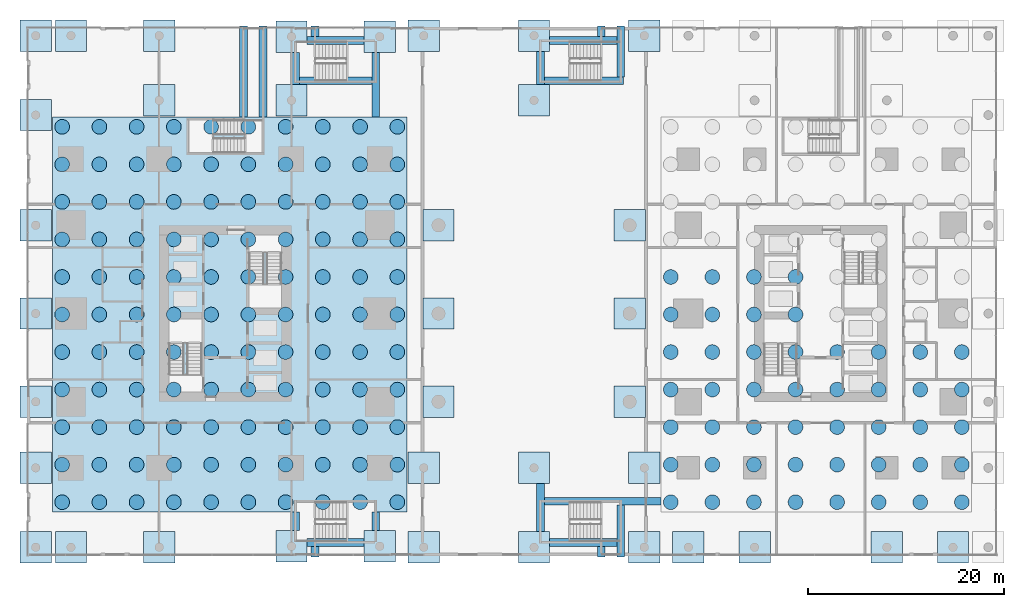
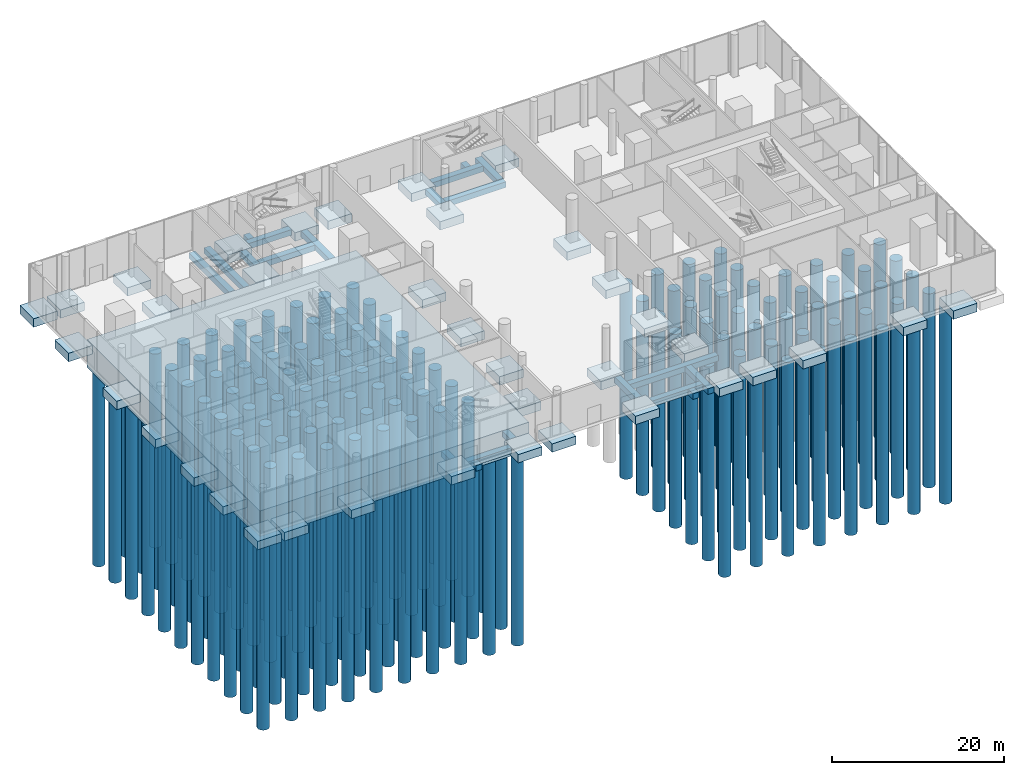
# One storey, part 1 of 31: 158 piles, 59 footings.
"""IFC4 building model written with IfcOpenShell, lengths in metres."""

from ifc_helpers import new_model, si_unit, direction, frame, origin, origin_2d, place, context, subcontext, project, spatial, rectangle, circle, extrude, material, material_profile, profile_set, type_object, element, save


model = new_model("IFC4")

# Units and contexts
model_context = context("Model", 3, precision=1e-05, world=origin(), true_north=direction((0.0, 1.0)))
body_context = subcontext(model_context, "Body", "Model", "MODEL_VIEW")
ifc_project = project(units=[si_unit("LENGTHUNIT", "METRE"), si_unit("AREAUNIT", "SQUARE_METRE"), si_unit("VOLUMEUNIT", "CUBIC_METRE"), si_unit("PLANEANGLEUNIT", "RADIAN"), si_unit("MASSUNIT", "GRAM", prefix="KILO")], contexts=[model_context])

# Site, building, storey
site_placement = place(None, origin())
site = spatial("IfcSite", under=ifc_project, at=site_placement, CompositionType="ELEMENT")
building_placement = place(site_placement, origin())
building = spatial("IfcBuilding", under=site, at=building_placement, Name="Namib Vertical Campus", CompositionType="ELEMENT")
storey_placement = place(building_placement, origin())
storey = spatial("IfcBuildingStorey", under=building, at=storey_placement, Name="L00", CompositionType="ELEMENT", Elevation=0.0)

# Piles
ifc_material_1 = material(Name="Concrete C35/45", Category="concrete")
ifc_material_profile = material_profile(ifc_material_1, circle(Radius=0.75, at=origin_2d()))
ifc_profile_set = profile_set([ifc_material_profile], Name="Concrete C35/45")
pile_type = type_object("IfcPileType", Name="Bored pile D1500", PredefinedType="BORED", material=ifc_profile_set)
for number, where, z_axis, x_axis, name in (
    (1, (3.60009765625, 1.0, -4.39990234375), (0.0, 0.0, -1.0), (1.0, 0.0, 0.0), "Pile BP3 A-1"),
    (2, (7.39990234375, 1.0, -4.39990234375), (0.0, 0.0, -1.0), (1.0, 0.0, 0.0), "Pile BP3 A-2"),
    (3, (11.199951171875, 1.0, -4.39990234375), (0.0, 0.0, -1.0), (1.0, 0.0, 0.0), "Pile BP3 A-3"),
    (4, (15.0, 1.0, -4.39990234375), (0.0, 0.0, -1.0), (1.0, 0.0, 0.0), "Pile BP3 A-4"),
    (5, (18.800048828125, 1.0, -4.39990234375), (0.0, 0.0, -1.0), (1.0, 0.0, 0.0), "Pile BP3 A-5"),
    (6, (22.60009765625, 1.0, -4.39990234375), (0.0, 0.0, -1.0), (1.0, 0.0, 0.0), "Pile BP3 A-6"),
    (7, (26.39990234375, 1.0, -4.39990234375), (0.0, 0.0, -1.0), (1.0, 0.0, 0.0), "Pile BP3 A-7"),
    (8, (30.199951171875, 1.0, -4.39990234375), (0.0, 0.0, -1.0), (1.0, 0.0, 0.0), "Pile BP3 A-8"),
    (9, (34.0, 1.0, -4.39990234375), (0.0, 0.0, -1.0), (1.0, 0.0, 0.0), "Pile BP3 A-9"),
    (10, (37.800048828125, 1.0, -4.39990234375), (0.0, 0.0, -1.0), (1.0, 0.0, 0.0), "Pile BP3 A-10"),
    (11, (3.60009765625, 4.830078125, -4.39990234375), (0.0, 0.0, -1.0), (1.0, 0.0, 0.0), "Pile BP3 A-11"),
    (12, (7.39990234375, 4.830078125, -4.39990234375), (0.0, 0.0, -1.0), (1.0, 0.0, 0.0), "Pile BP3 A-12"),
    (13, (11.199951171875, 4.830078125, -4.39990234375), (0.0, 0.0, -1.0), (1.0, 0.0, 0.0), "Pile BP3 A-13"),
    (14, (15.0, 4.830078125, -4.39990234375), (0.0, 0.0, -1.0), (1.0, 0.0, 0.0), "Pile BP3 A-14"),
    (15, (18.800048828125, 4.830078125, -4.39990234375), (0.0, 0.0, -1.0), (1.0, 0.0, 0.0), "Pile BP3 A-15"),
    (16, (22.60009765625, 4.830078125, -4.39990234375), (0.0, 0.0, -1.0), (1.0, 0.0, 0.0), "Pile BP3 A-16"),
    (17, (26.39990234375, 4.830078125, -4.39990234375), (0.0, 0.0, -1.0), (1.0, 0.0, 0.0), "Pile BP3 A-17"),
    (18, (30.199951171875, 4.830078125, -4.39990234375), (0.0, 0.0, -1.0), (1.0, 0.0, 0.0), "Pile BP3 A-18"),
    (19, (34.0, 4.830078125, -4.39990234375), (0.0, 0.0, -1.0), (1.0, 0.0, 0.0), "Pile BP3 A-19"),
    (20, (37.800048828125, 4.830078125, -4.39990234375), (0.0, 0.0, -1.0), (1.0, 0.0, 0.0), "Pile BP3 A-20"),
    (21, (3.60009765625, 8.659912109375, -4.39990234375), (0.0, 0.0, -1.0), (1.0, 0.0, 0.0), "Pile BP3 A-21"),
    (22, (7.39990234375, 8.659912109375, -4.39990234375), (0.0, 0.0, -1.0), (1.0, 0.0, 0.0), "Pile BP3 A-22"),
    (23, (11.199951171875, 8.659912109375, -4.39990234375), (0.0, 0.0, -1.0), (1.0, 0.0, 0.0), "Pile BP3 A-23"),
    (24, (15.0, 8.659912109375, -4.39990234375), (0.0, 0.0, -1.0), (1.0, 0.0, 0.0), "Pile BP3 A-24"),
    (25, (18.800048828125, 8.659912109375, -4.39990234375), (0.0, 0.0, -1.0), (1.0, 0.0, 0.0), "Pile BP3 A-25"),
    (26, (22.60009765625, 8.659912109375, -4.39990234375), (0.0, 0.0, -1.0), (1.0, 0.0, 0.0), "Pile BP3 A-26"),
    (27, (26.39990234375, 8.659912109375, -4.39990234375), (0.0, 0.0, -1.0), (1.0, 0.0, 0.0), "Pile BP3 A-27"),
    (28, (30.199951171875, 8.659912109375, -4.39990234375), (0.0, 0.0, -1.0), (1.0, 0.0, 0.0), "Pile BP3 A-28"),
    (29, (34.0, 8.659912109375, -4.39990234375), (0.0, 0.0, -1.0), (1.0, 0.0, 0.0), "Pile BP3 A-29"),
    (30, (37.800048828125, 8.659912109375, -4.39990234375), (0.0, 0.0, -1.0), (1.0, 0.0, 0.0), "Pile BP3 A-30"),
    (31, (3.60009765625, 12.489990234375, -4.39990234375), (0.0, 0.0, -1.0), (1.0, 0.0, 0.0), "Pile BP3 A-31"),
    (32, (7.39990234375, 12.489990234375, -4.39990234375), (0.0, 0.0, -1.0), (1.0, 0.0, 0.0), "Pile BP3 A-32"),
    (33, (11.199951171875, 12.489990234375, -4.39990234375), (0.0, 0.0, -1.0), (1.0, 0.0, 0.0), "Pile BP3 A-33"),
    (34, (15.0, 12.489990234375, -4.39990234375), (0.0, 0.0, -1.0), (1.0, 0.0, 0.0), "Pile BP3 A-34"),
    (35, (18.800048828125, 12.489990234375, -4.39990234375), (0.0, 0.0, -1.0), (1.0, 0.0, 0.0), "Pile BP3 A-35"),
    (36, (22.60009765625, 12.489990234375, -4.39990234375), (0.0, 0.0, -1.0), (1.0, 0.0, 0.0), "Pile BP3 A-36"),
    (37, (26.39990234375, 12.489990234375, -4.39990234375), (0.0, 0.0, -1.0), (1.0, 0.0, 0.0), "Pile BP3 A-37"),
    (38, (30.199951171875, 12.489990234375, -4.39990234375), (0.0, 0.0, -1.0), (1.0, 0.0, 0.0), "Pile BP3 A-38"),
    (39, (34.0, 12.489990234375, -4.39990234375), (0.0, 0.0, -1.0), (1.0, 0.0, 0.0), "Pile BP3 A-39"),
    (40, (37.800048828125, 12.489990234375, -4.39990234375), (0.0, 0.0, -1.0), (1.0, 0.0, 0.0), "Pile BP3 A-40"),
    (41, (3.60009765625, 16.320068359375, -4.39990234375), (0.0, 0.0, -1.0), (1.0, 0.0, 0.0), "Pile BP3 A-41"),
    (42, (7.39990234375, 16.320068359375, -4.39990234375), (0.0, 0.0, -1.0), (1.0, 0.0, 0.0), "Pile BP3 A-42"),
    (43, (11.199951171875, 16.320068359375, -4.39990234375), (0.0, 0.0, -1.0), (1.0, 0.0, 0.0), "Pile BP3 A-43"),
    (44, (15.0, 16.320068359375, -4.39990234375), (0.0, 0.0, -1.0), (1.0, 0.0, 0.0), "Pile BP3 A-44"),
    (45, (18.800048828125, 16.320068359375, -4.39990234375), (0.0, 0.0, -1.0), (1.0, 0.0, 0.0), "Pile BP3 A-45"),
    (46, (22.60009765625, 16.320068359375, -4.39990234375), (0.0, 0.0, -1.0), (1.0, 0.0, 0.0), "Pile BP3 A-46"),
    (47, (26.39990234375, 16.320068359375, -4.39990234375), (0.0, 0.0, -1.0), (1.0, 0.0, 0.0), "Pile BP3 A-47"),
    (48, (30.199951171875, 16.320068359375, -4.39990234375), (0.0, 0.0, -1.0), (1.0, 0.0, 0.0), "Pile BP3 A-48"),
    (49, (34.0, 16.320068359375, -4.39990234375), (0.0, 0.0, -1.0), (1.0, 0.0, 0.0), "Pile BP3 A-49"),
    (50, (37.800048828125, 16.320068359375, -4.39990234375), (0.0, 0.0, -1.0), (1.0, 0.0, 0.0), "Pile BP3 A-50"),
    (51, (3.60009765625, 20.14990234375, -4.39990234375), (0.0, 0.0, -1.0), (1.0, 0.0, 0.0), "Pile BP3 A-51"),
    (52, (7.39990234375, 20.14990234375, -4.39990234375), (0.0, 0.0, -1.0), (1.0, 0.0, 0.0), "Pile BP3 A-52"),
    (53, (11.199951171875, 20.14990234375, -4.39990234375), (0.0, 0.0, -1.0), (1.0, 0.0, 0.0), "Pile BP3 A-53"),
    (54, (15.0, 20.14990234375, -4.39990234375), (0.0, 0.0, -1.0), (1.0, 0.0, 0.0), "Pile BP3 A-54"),
    (55, (18.800048828125, 20.14990234375, -4.39990234375), (0.0, 0.0, -1.0), (1.0, 0.0, 0.0), "Pile BP3 A-55"),
    (56, (22.60009765625, 20.14990234375, -4.39990234375), (0.0, 0.0, -1.0), (1.0, 0.0, 0.0), "Pile BP3 A-56"),
    (57, (26.39990234375, 20.14990234375, -4.39990234375), (0.0, 0.0, -1.0), (1.0, 0.0, 0.0), "Pile BP3 A-57"),
    (58, (30.199951171875, 20.14990234375, -4.39990234375), (0.0, 0.0, -1.0), (1.0, 0.0, 0.0), "Pile BP3 A-58"),
    (59, (34.0, 20.14990234375, -4.39990234375), (0.0, 0.0, -1.0), (1.0, 0.0, 0.0), "Pile BP3 A-59"),
    (60, (37.800048828125, 20.14990234375, -4.39990234375), (0.0, 0.0, -1.0), (1.0, 0.0, 0.0), "Pile BP3 A-60"),
    (61, (3.60009765625, 23.97998046875, -4.39990234375), (0.0, 0.0, -1.0), (1.0, 0.0, 0.0), "Pile BP3 A-61"),
    (62, (7.39990234375, 23.97998046875, -4.39990234375), (0.0, 0.0, -1.0), (1.0, 0.0, 0.0), "Pile BP3 A-62"),
    (63, (11.199951171875, 23.97998046875, -4.39990234375), (0.0, 0.0, -1.0), (1.0, 0.0, 0.0), "Pile BP3 A-63"),
    (64, (15.0, 23.97998046875, -4.39990234375), (0.0, 0.0, -1.0), (1.0, 0.0, 0.0), "Pile BP3 A-64"),
    (65, (18.800048828125, 23.97998046875, -4.39990234375), (0.0, 0.0, -1.0), (1.0, 0.0, 0.0), "Pile BP3 A-65"),
    (66, (22.60009765625, 23.97998046875, -4.39990234375), (0.0, 0.0, -1.0), (1.0, 0.0, 0.0), "Pile BP3 A-66"),
    (67, (26.39990234375, 23.97998046875, -4.39990234375), (0.0, 0.0, -1.0), (1.0, 0.0, 0.0), "Pile BP3 A-67"),
    (68, (30.199951171875, 23.97998046875, -4.39990234375), (0.0, 0.0, -1.0), (1.0, 0.0, 0.0), "Pile BP3 A-68"),
    (69, (34.0, 23.97998046875, -4.39990234375), (0.0, 0.0, -1.0), (1.0, 0.0, 0.0), "Pile BP3 A-69"),
    (70, (37.800048828125, 23.97998046875, -4.39990234375), (0.0, 0.0, -1.0), (1.0, 0.0, 0.0), "Pile BP3 A-70"),
    (71, (3.60009765625, 27.81005859375, -4.39990234375), (0.0, 0.0, -1.0), (1.0, 0.0, 0.0), "Pile BP3 A-71"),
    (72, (7.39990234375, 27.81005859375, -4.39990234375), (0.0, 0.0, -1.0), (1.0, 0.0, 0.0), "Pile BP3 A-72"),
    (73, (11.199951171875, 27.81005859375, -4.39990234375), (0.0, 0.0, -1.0), (1.0, 0.0, 0.0), "Pile BP3 A-73"),
    (74, (15.0, 27.81005859375, -4.39990234375), (0.0, 0.0, -1.0), (1.0, 0.0, 0.0), "Pile BP3 A-74"),
    (75, (18.800048828125, 27.81005859375, -4.39990234375), (0.0, 0.0, -1.0), (1.0, 0.0, 0.0), "Pile BP3 A-75"),
    (76, (22.60009765625, 27.81005859375, -4.39990234375), (0.0, 0.0, -1.0), (1.0, 0.0, 0.0), "Pile BP3 A-76"),
    (77, (26.39990234375, 27.81005859375, -4.39990234375), (0.0, 0.0, -1.0), (1.0, 0.0, 0.0), "Pile BP3 A-77"),
    (78, (30.199951171875, 27.81005859375, -4.39990234375), (0.0, 0.0, -1.0), (1.0, 0.0, 0.0), "Pile BP3 A-78"),
    (79, (34.0, 27.81005859375, -4.39990234375), (0.0, 0.0, -1.0), (1.0, 0.0, 0.0), "Pile BP3 A-79"),
    (80, (37.800048828125, 27.81005859375, -4.39990234375), (0.0, 0.0, -1.0), (1.0, 0.0, 0.0), "Pile BP3 A-80"),
    (81, (3.60009765625, 31.639892578125, -4.39990234375), (0.0, 0.0, -1.0), (1.0, 0.0, 0.0), "Pile BP3 A-81"),
    (82, (7.39990234375, 31.639892578125, -4.39990234375), (0.0, 0.0, -1.0), (1.0, 0.0, 0.0), "Pile BP3 A-82"),
    (83, (11.199951171875, 31.639892578125, -4.39990234375), (0.0, 0.0, -1.0), (1.0, 0.0, 0.0), "Pile BP3 A-83"),
    (84, (15.0, 31.639892578125, -4.39990234375), (0.0, 0.0, -1.0), (1.0, 0.0, 0.0), "Pile BP3 A-84"),
    (85, (18.800048828125, 31.639892578125, -4.39990234375), (0.0, 0.0, -1.0), (1.0, 0.0, 0.0), "Pile BP3 A-85"),
    (86, (22.60009765625, 31.639892578125, -4.39990234375), (0.0, 0.0, -1.0), (1.0, 0.0, 0.0), "Pile BP3 A-86"),
    (87, (26.39990234375, 31.639892578125, -4.39990234375), (0.0, 0.0, -1.0), (1.0, 0.0, 0.0), "Pile BP3 A-87"),
    (88, (30.199951171875, 31.639892578125, -4.39990234375), (0.0, 0.0, -1.0), (1.0, 0.0, 0.0), "Pile BP3 A-88"),
    (89, (34.0, 31.639892578125, -4.39990234375), (0.0, 0.0, -1.0), (1.0, 0.0, 0.0), "Pile BP3 A-89"),
    (90, (37.800048828125, 31.639892578125, -4.39990234375), (0.0, 0.0, -1.0), (1.0, 0.0, 0.0), "Pile BP3 A-90"),
    (91, (3.60009765625, 35.469970703125, -4.39990234375), (0.0, 0.0, -1.0), (1.0, 0.0, 0.0), "Pile BP3 A-91"),
    (92, (7.39990234375, 35.469970703125, -4.39990234375), (0.0, 0.0, -1.0), (1.0, 0.0, 0.0), "Pile BP3 A-92"),
    (93, (11.199951171875, 35.469970703125, -4.39990234375), (0.0, 0.0, -1.0), (1.0, 0.0, 0.0), "Pile BP3 A-93"),
    (94, (15.0, 35.469970703125, -4.39990234375), (0.0, 0.0, -1.0), (1.0, 0.0, 0.0), "Pile BP3 A-94"),
    (95, (18.800048828125, 35.469970703125, -4.39990234375), (0.0, 0.0, -1.0), (1.0, 0.0, 0.0), "Pile BP3 A-95"),
    (96, (22.60009765625, 35.469970703125, -4.39990234375), (0.0, 0.0, -1.0), (1.0, 0.0, 0.0), "Pile BP3 A-96"),
    (97, (26.39990234375, 35.469970703125, -4.39990234375), (0.0, 0.0, -1.0), (1.0, 0.0, 0.0), "Pile BP3 A-97"),
    (98, (30.199951171875, 35.469970703125, -4.39990234375), (0.0, 0.0, -1.0), (1.0, 0.0, 0.0), "Pile BP3 A-98"),
    (99, (34.0, 35.469970703125, -4.39990234375), (0.0, 0.0, -1.0), (1.0, 0.0, 0.0), "Pile BP3 A-99"),
    (100, (37.800048828125, 35.469970703125, -4.39990234375), (0.0, 0.0, -1.0), (1.0, 0.0, 0.0), "Pile BP3 A-100"),
    (101, (3.60009765625, 39.300048828125, -4.39990234375), (0.0, 0.0, -1.0), (1.0, 0.0, 0.0), "Pile BP3 A-101"),
    (102, (7.39990234375, 39.300048828125, -4.39990234375), (0.0, 0.0, -1.0), (1.0, 0.0, 0.0), "Pile BP3 A-102"),
    (103, (11.199951171875, 39.300048828125, -4.39990234375), (0.0, 0.0, -1.0), (1.0, 0.0, 0.0), "Pile BP3 A-103"),
    (104, (15.0, 39.300048828125, -4.39990234375), (0.0, 0.0, -1.0), (1.0, 0.0, 0.0), "Pile BP3 A-104"),
    (105, (18.800048828125, 39.300048828125, -4.39990234375), (0.0, 0.0, -1.0), (1.0, 0.0, 0.0), "Pile BP3 A-105"),
    (106, (22.60009765625, 39.300048828125, -4.39990234375), (0.0, 0.0, -1.0), (1.0, 0.0, 0.0), "Pile BP3 A-106"),
    (107, (26.39990234375, 39.300048828125, -4.39990234375), (0.0, 0.0, -1.0), (1.0, 0.0, 0.0), "Pile BP3 A-107"),
    (108, (30.199951171875, 39.300048828125, -4.39990234375), (0.0, 0.0, -1.0), (1.0, 0.0, 0.0), "Pile BP3 A-108"),
    (109, (34.0, 39.300048828125, -4.39990234375), (0.0, 0.0, -1.0), (1.0, 0.0, 0.0), "Pile BP3 A-109"),
    (110, (37.800048828125, 39.300048828125, -4.39990234375), (0.0, 0.0, -1.0), (1.0, 0.0, 0.0), "Pile BP3 A-110"),
    (111, (65.699951171875, 1.0, -4.39990234375), (0.0, 0.0, -1.0), (1.0, 0.0, 0.0), "Pile BP3 B-1"),
    (112, (69.943115234375, 1.0, -4.39990234375), (0.0, 0.0, -1.0), (1.0, 0.0, 0.0), "Pile BP3 B-2"),
    (113, (74.18603515625, 1.0, -4.39990234375), (0.0, 0.0, -1.0), (1.0, 0.0, 0.0), "Pile BP3 B-3"),
    (114, (78.428955078125, 1.0, -4.39990234375), (0.0, 0.0, -1.0), (1.0, 0.0, 0.0), "Pile BP3 B-4"),
    (115, (82.6708984375, 1.0, -4.39990234375), (0.0, 0.0, -1.0), (1.0, 0.0, 0.0), "Pile BP3 B-5"),
    (116, (86.9140625, 1.0, -4.39990234375), (0.0, 0.0, -1.0), (1.0, 0.0, 0.0), "Pile BP3 B-6"),
    (117, (91.156982421875, 1.0, -4.39990234375), (0.0, 0.0, -1.0), (1.0, 0.0, 0.0), "Pile BP3 B-7"),
    (118, (95.39990234375, 1.0, -4.39990234375), (0.0, 0.0, -1.0), (1.0, 0.0, 0.0), "Pile BP3 B-8"),
    (119, (65.699951171875, 4.830078125, -4.39990234375), (0.0, 0.0, -1.0), (1.0, 0.0, 0.0), "Pile BP3 B-9"),
    (120, (69.943115234375, 4.830078125, -4.39990234375), (0.0, 0.0, -1.0), (1.0, 0.0, 0.0), "Pile BP3 B-10"),
    (121, (74.18603515625, 4.830078125, -4.39990234375), (0.0, 0.0, -1.0), (1.0, 0.0, 0.0), "Pile BP3 B-11"),
    (122, (78.428955078125, 4.830078125, -4.39990234375), (0.0, 0.0, -1.0), (1.0, 0.0, 0.0), "Pile BP3 B-12"),
    (123, (82.6708984375, 4.830078125, -4.39990234375), (0.0, 0.0, -1.0), (1.0, 0.0, 0.0), "Pile BP3 B-13"),
    (124, (86.9140625, 4.830078125, -4.39990234375), (0.0, 0.0, -1.0), (1.0, 0.0, 0.0), "Pile BP3 B-14"),
    (125, (91.156982421875, 4.830078125, -4.39990234375), (0.0, 0.0, -1.0), (1.0, 0.0, 0.0), "Pile BP3 B-15"),
    (126, (95.39990234375, 4.830078125, -4.39990234375), (0.0, 0.0, -1.0), (1.0, 0.0, 0.0), "Pile BP3 B-16"),
    (127, (65.699951171875, 8.659912109375, -4.39990234375), (0.0, 0.0, -1.0), (1.0, 0.0, 0.0), "Pile BP3 B-17"),
    (128, (69.943115234375, 8.659912109375, -4.39990234375), (0.0, 0.0, -1.0), (1.0, 0.0, 0.0), "Pile BP3 B-18"),
    (129, (74.18603515625, 8.659912109375, -4.39990234375), (0.0, 0.0, -1.0), (1.0, 0.0, 0.0), "Pile BP3 B-19"),
    (130, (78.428955078125, 8.659912109375, -4.39990234375), (0.0, 0.0, -1.0), (1.0, 0.0, 0.0), "Pile BP3 B-20"),
    (131, (82.6708984375, 8.659912109375, -4.39990234375), (0.0, 0.0, -1.0), (1.0, 0.0, 0.0), "Pile BP3 B-21"),
    (132, (86.9140625, 8.659912109375, -4.39990234375), (0.0, 0.0, -1.0), (1.0, 0.0, 0.0), "Pile BP3 B-22"),
    (133, (91.156982421875, 8.659912109375, -4.39990234375), (0.0, 0.0, -1.0), (1.0, 0.0, 0.0), "Pile BP3 B-23"),
    (134, (95.39990234375, 8.659912109375, -4.39990234375), (0.0, 0.0, -1.0), (1.0, 0.0, 0.0), "Pile BP3 B-24"),
    (135, (65.699951171875, 12.489990234375, -4.39990234375), (0.0, 0.0, -1.0), (1.0, 0.0, 0.0), "Pile BP3 B-25"),
    (136, (69.943115234375, 12.489990234375, -4.39990234375), (0.0, 0.0, -1.0), (1.0, 0.0, 0.0), "Pile BP3 B-26"),
    (137, (74.18603515625, 12.489990234375, -4.39990234375), (0.0, 0.0, -1.0), (1.0, 0.0, 0.0), "Pile BP3 B-27"),
    (138, (78.428955078125, 12.489990234375, -4.39990234375), (0.0, 0.0, -1.0), (1.0, 0.0, 0.0), "Pile BP3 B-28"),
    (139, (82.6708984375, 12.489990234375, -4.39990234375), (0.0, 0.0, -1.0), (1.0, 0.0, 0.0), "Pile BP3 B-29"),
    (140, (86.9140625, 12.489990234375, -4.39990234375), (0.0, 0.0, -1.0), (1.0, 0.0, 0.0), "Pile BP3 B-30"),
    (141, (91.156982421875, 12.489990234375, -4.39990234375), (0.0, 0.0, -1.0), (1.0, 0.0, 0.0), "Pile BP3 B-31"),
    (142, (95.39990234375, 12.489990234375, -4.39990234375), (0.0, 0.0, -1.0), (1.0, 0.0, 0.0), "Pile BP3 B-32"),
    (143, (65.699951171875, 16.320068359375, -4.39990234375), (0.0, 0.0, -1.0), (1.0, 0.0, 0.0), "Pile BP3 B-33"),
    (144, (69.943115234375, 16.320068359375, -4.39990234375), (0.0, 0.0, -1.0), (1.0, 0.0, 0.0), "Pile BP3 B-34"),
    (145, (74.18603515625, 16.320068359375, -4.39990234375), (0.0, 0.0, -1.0), (1.0, 0.0, 0.0), "Pile BP3 B-35"),
    (146, (78.428955078125, 16.320068359375, -4.39990234375), (0.0, 0.0, -1.0), (1.0, 0.0, 0.0), "Pile BP3 B-36"),
    (147, (82.6708984375, 16.320068359375, -4.39990234375), (0.0, 0.0, -1.0), (1.0, 0.0, 0.0), "Pile BP3 B-37"),
    (148, (86.9140625, 16.320068359375, -4.39990234375), (0.0, 0.0, -1.0), (1.0, 0.0, 0.0), "Pile BP3 B-38"),
    (149, (91.156982421875, 16.320068359375, -4.39990234375), (0.0, 0.0, -1.0), (1.0, 0.0, 0.0), "Pile BP3 B-39"),
    (150, (95.39990234375, 16.320068359375, -4.39990234375), (0.0, 0.0, -1.0), (1.0, 0.0, 0.0), "Pile BP3 B-40"),
    (151, (65.699951171875, 20.14990234375, -4.39990234375), (0.0, 0.0, -1.0), (1.0, 0.0, 0.0), "Pile BP3 B-41"),
    (152, (69.943115234375, 20.14990234375, -4.39990234375), (0.0, 0.0, -1.0), (1.0, 0.0, 0.0), "Pile BP3 B-42"),
    (153, (74.18603515625, 20.14990234375, -4.39990234375), (0.0, 0.0, -1.0), (1.0, 0.0, 0.0), "Pile BP3 B-43"),
    (154, (78.428955078125, 20.14990234375, -4.39990234375), (0.0, 0.0, -1.0), (1.0, 0.0, 0.0), "Pile BP3 B-44"),
    (155, (65.699951171875, 23.97998046875, -4.39990234375), (0.0, 0.0, -1.0), (1.0, 0.0, 0.0), "Pile BP3 B-49"),
    (156, (69.943115234375, 23.97998046875, -4.39990234375), (0.0, 0.0, -1.0), (1.0, 0.0, 0.0), "Pile BP3 B-50"),
    (157, (74.18603515625, 23.97998046875, -4.39990234375), (0.0, 0.0, -1.0), (1.0, 0.0, 0.0), "Pile BP3 B-51"),
    (158, (78.428955078125, 23.97998046875, -4.39990234375), (0.0, 0.0, -1.0), (1.0, 0.0, 0.0), "Pile BP3 B-52"),
):
    element("IfcPile", number, at=place(storey_placement, frame(where, z_axis=z_axis, x_axis=x_axis)), inside=storey, type_object=pile_type, Name=name, PredefinedType="BORED", context=body_context, shape_type="SweptSolid", body=[
        extrude(circle(Radius=0.75, at=origin_2d()), origin(), (0.0, 0.0, 1.0), 27.60009765625),
    ])

# Footings
ifc_material_2 = material(Name="Concrete C35/45", Category="concrete")
footing_type_1 = type_object("IfcFootingType", Name="Pad footing 3200x3200x1200", PredefinedType="PAD_FOOTING", material=ifc_material_2)
for number, where, z_axis, x_axis, name in (
    (159, (0.89990234375, -3.60009765625, -1.60009765625), (0.0, 0.0, 1.0), (1.0, 0.0, 0.0), "Pad footing PF2"),
    (160, (4.5, -3.60009765625, -1.60009765625), (0.0, 0.0, 1.0), (1.0, 0.0, 0.0), "Pad footing PF2"),
    (161, (13.5, -3.60009765625, -1.60009765625), (0.0, 0.0, 1.0), (1.0, 0.0, 0.0), "Pad footing PF2"),
    (162, (27.0, -3.5, -1.60009765625), (0.0, 0.0, 1.0), (1.0, 0.0, 0.0), "Pad footing PF2"),
    (163, (36.0, -3.5, -1.60009765625), (0.0, 0.0, 1.0), (1.0, 0.0, 0.0), "Pad footing PF2"),
    (164, (40.5, -3.60009765625, -1.60009765625), (0.0, 0.0, 1.0), (1.0, 0.0, 0.0), "Pad footing PF2"),
    (165, (51.75, -3.60009765625, -1.60009765625), (0.0, 0.0, 1.0), (1.0, 0.0, 0.0), "Pad footing PF2"),
    (166, (63.0, -3.60009765625, -1.60009765625), (0.0, 0.0, 1.0), (1.0, 0.0, 0.0), "Pad footing PF2"),
    (167, (67.5, -3.60009765625, -1.60009765625), (0.0, 0.0, 1.0), (1.0, 0.0, 0.0), "Pad footing PF2"),
    (168, (74.25, -3.60009765625, -1.60009765625), (0.0, 0.0, 1.0), (1.0, 0.0, 0.0), "Pad footing PF2"),
    (169, (87.75, -3.60009765625, -1.60009765625), (0.0, 0.0, 1.0), (1.0, 0.0, 0.0), "Pad footing PF2"),
    (170, (94.5, -3.60009765625, -1.60009765625), (0.0, 0.0, 1.0), (1.0, 0.0, 0.0), "Pad footing PF2"),
    (171, (0.89990234375, 4.5, -1.60009765625), (0.0, 0.0, 1.0), (1.0, 0.0, 0.0), "Pad footing PF2"),
    (172, (40.5, 4.5, -1.60009765625), (0.0, 0.0, 1.0), (1.0, 0.0, 0.0), "Pad footing PF2"),
    (173, (51.75, 4.5, -1.60009765625), (0.0, 0.0, 1.0), (1.0, 0.0, 0.0), "Pad footing PF2"),
    (174, (63.0, 4.5, -1.60009765625), (0.0, 0.0, 1.0), (1.0, 0.0, 0.0), "Pad footing PF2"),
    (175, (0.89990234375, 11.25, -1.60009765625), (0.0, 0.0, 1.0), (1.0, 0.0, 0.0), "Pad footing PF2"),
    (176, (42.0, 11.25, -1.60009765625), (0.0, 0.0, 1.0), (1.0, 0.0, 0.0), "Pad footing PF2"),
    (177, (61.5, 11.25, -1.60009765625), (0.0, 0.0, 1.0), (1.0, 0.0, 0.0), "Pad footing PF2"),
    (178, (0.89990234375, 20.25, -1.60009765625), (0.0, 0.0, 1.0), (1.0, 0.0, 0.0), "Pad footing PF2"),
    (179, (42.0, 20.25, -1.60009765625), (0.0, 0.0, 1.0), (1.0, 0.0, 0.0), "Pad footing PF2"),
    (180, (61.5, 20.25, -1.60009765625), (0.0, 0.0, 1.0), (1.0, 0.0, 0.0), "Pad footing PF2"),
    (181, (0.89990234375, 29.25, -1.60009765625), (0.0, 0.0, 1.0), (1.0, 0.0, 0.0), "Pad footing PF2"),
    (182, (42.0, 29.25, -1.60009765625), (0.0, 0.0, 1.0), (1.0, 0.0, 0.0), "Pad footing PF2"),
    (183, (61.5, 29.25, -1.60009765625), (0.0, 0.0, 1.0), (1.0, 0.0, 0.0), "Pad footing PF2"),
    (184, (0.89990234375, 40.5, -1.60009765625), (0.0, 0.0, 1.0), (1.0, 0.0, 0.0), "Pad footing PF2"),
    (185, (13.5, 42.0, -1.60009765625), (0.0, 0.0, 1.0), (1.0, 0.0, 0.0), "Pad footing PF2"),
    (186, (27.0, 42.0, -1.60009765625), (0.0, 0.0, 1.0), (1.0, 0.0, 0.0), "Pad footing PF2"),
    (187, (51.75, 42.0, -1.60009765625), (0.0, 0.0, 1.0), (1.0, 0.0, 0.0), "Pad footing PF2"),
    (188, (0.89990234375, 48.60009765625, -1.60009765625), (0.0, 0.0, 1.0), (1.0, 0.0, 0.0), "Pad footing PF2"),
    (189, (4.5, 48.60009765625, -1.60009765625), (0.0, 0.0, 1.0), (1.0, 0.0, 0.0), "Pad footing PF2"),
    (190, (13.5, 48.60009765625, -1.60009765625), (0.0, 0.0, 1.0), (1.0, 0.0, 0.0), "Pad footing PF2"),
    (191, (27.0, 48.5, -1.60009765625), (0.0, 0.0, 1.0), (1.0, 0.0, 0.0), "Pad footing PF2"),
    (192, (36.0, 48.5, -1.60009765625), (0.0, 0.0, 1.0), (1.0, 0.0, 0.0), "Pad footing PF2"),
    (193, (40.5, 48.60009765625, -1.60009765625), (0.0, 0.0, 1.0), (1.0, 0.0, 0.0), "Pad footing PF2"),
    (194, (51.75, 48.60009765625, -1.60009765625), (0.0, 0.0, 1.0), (1.0, 0.0, 0.0), "Pad footing PF2"),
    (195, (63.0, 48.60009765625, -1.60009765625), (0.0, 0.0, 1.0), (1.0, 0.0, 0.0), "Pad footing PF2"),
):
    element("IfcFooting", number, at=place(storey_placement, frame(where, z_axis=z_axis, x_axis=x_axis)), inside=storey, type_object=footing_type_1, Name=name, PredefinedType="PAD_FOOTING", context=body_context, shape_type="SweptSolid", body=[
        extrude(rectangle(XDim=3.199951171875, YDim=3.199951171875, at=origin_2d()), origin(), (0.0, 0.0, 1.0), 1.199951171875),
    ])
ifc_material_3 = material(Name="Concrete C35/45", Category="concrete")
footing_type_2 = type_object("IfcFootingType", Name="Strip footing 800x800", PredefinedType="STRIP_FOOTING", material=ifc_material_3)
footing_1_placement = place(storey_placement, frame((31.5, 44.0, -1.2001953125), z_axis=(0.0, 0.0, 1.0), x_axis=(1.0, 0.0, 0.0)))
element("IfcFooting", 196, at=footing_1_placement, inside=storey, type_object=footing_type_2, Name="Strip footing FS1 P-S1-1", PredefinedType="STRIP_FOOTING", context=body_context, shape_type="SweptSolid", body=[
    extrude(rectangle(XDim=7.39990234375, YDim=0.800048828125, at=origin_2d()), origin(), (0.0, 0.0, 1.0), 0.800048828125),
])
footing_2_placement = place(storey_placement, frame((31.5, 48.10009765625, -1.2001953125), z_axis=(0.0, 0.0, 1.0), x_axis=(1.0, 0.0, 0.0)))
element("IfcFooting", 197, at=footing_2_placement, inside=storey, type_object=footing_type_2, Name="Strip footing FS1 P-S1-2", PredefinedType="STRIP_FOOTING", context=body_context, shape_type="SweptSolid", body=[
    extrude(rectangle(XDim=5.800048828125, YDim=0.800048828125, at=origin_2d()), origin(), (0.0, 0.0, 1.0), 0.800048828125),
])
footing_3_placement = place(storey_placement, frame((29.39990234375, 49.050048828125, -1.2001953125), z_axis=(0.0, 0.0, 1.0), x_axis=(1.0, 0.0, 0.0)))
element("IfcFooting", 198, at=footing_3_placement, inside=storey, type_object=footing_type_2, Name="Strip footing FS1 P-S1-3", PredefinedType="STRIP_FOOTING", context=body_context, shape_type="SweptSolid", body=[
    extrude(rectangle(XDim=0.800048828125, YDim=1.10009765625, at=origin_2d()), origin(), (0.0, 0.0, 1.0), 0.800048828125),
])
footing_4_placement = place(storey_placement, frame((27.39990234375, 45.25, -1.2001953125), z_axis=(0.0, 0.0, 1.0), x_axis=(1.0, 0.0, 0.0)))
element("IfcFooting", 199, at=footing_4_placement, inside=storey, type_object=footing_type_2, Name="Strip footing FS1 P-S1-4", PredefinedType="STRIP_FOOTING", context=body_context, shape_type="SweptSolid", body=[
    extrude(rectangle(XDim=0.800048828125, YDim=3.300048828125, at=origin_2d()), origin(), (0.0, 0.0, 1.0), 0.800048828125),
])
footing_5_placement = place(storey_placement, frame((35.60009765625, 43.60009765625, -1.2001953125), z_axis=(0.0, 0.0, 1.0), x_axis=(1.0, 0.0, 0.0)))
element("IfcFooting", 200, at=footing_5_placement, inside=storey, type_object=footing_type_2, Name="Strip footing FS1 P-S1-5", PredefinedType="STRIP_FOOTING", context=body_context, shape_type="SweptSolid", body=[
    extrude(rectangle(XDim=0.800048828125, YDim=6.60009765625, at=origin_2d()), origin(), (0.0, 0.0, 1.0), 0.800048828125),
])
footing_6_placement = place(storey_placement, frame((31.5, -3.10009765625, -1.2001953125), z_axis=(0.0, 0.0, 1.0), x_axis=(1.0, 0.0, 0.0)))
element("IfcFooting", 201, at=footing_6_placement, inside=storey, type_object=footing_type_2, Name="Strip footing FS1 P-S2-1", PredefinedType="STRIP_FOOTING", context=body_context, shape_type="SweptSolid", body=[
    extrude(rectangle(XDim=5.800048828125, YDim=0.800048828125, at=origin_2d()), origin(), (0.0, 0.0, 1.0), 0.800048828125),
])
footing_7_placement = place(storey_placement, frame((29.39990234375, -4.050048828125, -1.2001953125), z_axis=(0.0, 0.0, 1.0), x_axis=(1.0, 0.0, 0.0)))
element("IfcFooting", 202, at=footing_7_placement, inside=storey, type_object=footing_type_2, Name="Strip footing FS1 P-S2-2", PredefinedType="STRIP_FOOTING", context=body_context, shape_type="SweptSolid", body=[
    extrude(rectangle(XDim=0.800048828125, YDim=1.10009765625, at=origin_2d()), origin(), (0.0, 0.0, 1.0), 0.800048828125),
])
for number, where, z_axis, x_axis, name in (
    (203, (27.39990234375, -0.949951171875, -1.2001953125), (0.0, 0.0, 1.0), (1.0, 0.0, 0.0), "Strip footing FS1 P-S2-3"),
    (204, (35.60009765625, -0.949951171875, -1.2001953125), (0.0, 0.0, 1.0), (1.0, 0.0, 0.0), "Strip footing FS1 P-S2-4"),
):
    element("IfcFooting", number, at=place(storey_placement, frame(where, z_axis=z_axis, x_axis=x_axis)), inside=storey, type_object=footing_type_2, Name=name, PredefinedType="STRIP_FOOTING", context=body_context, shape_type="SweptSolid", body=[
        extrude(rectangle(XDim=0.800048828125, YDim=1.89990234375, at=origin_2d()), origin(), (0.0, 0.0, 1.0), 0.800048828125),
    ])
footing_8_placement = place(storey_placement, frame((56.85009765625, 44.0, -1.2001953125), z_axis=(0.0, 0.0, 1.0), x_axis=(1.0, 0.0, 0.0)))
element("IfcFooting", 205, at=footing_8_placement, inside=storey, type_object=footing_type_2, Name="Strip footing FS1 P-S3-1", PredefinedType="STRIP_FOOTING", context=body_context, shape_type="SweptSolid", body=[
    extrude(rectangle(XDim=8.10009765625, YDim=0.800048828125, at=origin_2d()), origin(), (0.0, 0.0, 1.0), 0.800048828125),
])
footing_9_placement = place(storey_placement, frame((56.77490234375, 48.10009765625, -1.2001953125), z_axis=(0.0, 0.0, 1.0), x_axis=(1.0, 0.0, 0.0)))
element("IfcFooting", 206, at=footing_9_placement, inside=storey, type_object=footing_type_2, Name="Strip footing FS1 P-S3-2", PredefinedType="STRIP_FOOTING", context=body_context, shape_type="SweptSolid", body=[
    extrude(rectangle(XDim=6.85009765625, YDim=0.800048828125, at=origin_2d()), origin(), (0.0, 0.0, 1.0), 0.800048828125),
])
footing_10_placement = place(storey_placement, frame((58.60009765625, 49.050048828125, -1.2001953125), z_axis=(0.0, 0.0, 1.0), x_axis=(1.0, 0.0, 0.0)))
element("IfcFooting", 207, at=footing_10_placement, inside=storey, type_object=footing_type_2, Name="Strip footing FS1 P-S3-3", PredefinedType="STRIP_FOOTING", context=body_context, shape_type="SweptSolid", body=[
    extrude(rectangle(XDim=0.800048828125, YDim=1.10009765625, at=origin_2d()), origin(), (0.0, 0.0, 1.0), 0.800048828125),
])
footing_11_placement = place(storey_placement, frame((52.39990234375, 45.300048828125, -1.2001953125), z_axis=(0.0, 0.0, 1.0), x_axis=(1.0, 0.0, 0.0)))
element("IfcFooting", 208, at=footing_11_placement, inside=storey, type_object=footing_type_2, Name="Strip footing FS1 P-S3-4", PredefinedType="STRIP_FOOTING", context=body_context, shape_type="SweptSolid", body=[
    extrude(rectangle(XDim=0.800048828125, YDim=3.39990234375, at=origin_2d()), origin(), (0.0, 0.0, 1.0), 0.800048828125),
])
footing_12_placement = place(storey_placement, frame((60.60009765625, 47.0, -1.2001953125), z_axis=(0.0, 0.0, 1.0), x_axis=(1.0, 0.0, 0.0)))
element("IfcFooting", 209, at=footing_12_placement, inside=storey, type_object=footing_type_2, Name="Strip footing FS1 P-S3-5", PredefinedType="STRIP_FOOTING", context=body_context, shape_type="SweptSolid", body=[
    extrude(rectangle(XDim=0.800048828125, YDim=5.199951171875, at=origin_2d()), origin(), (0.0, 0.0, 1.0), 0.800048828125),
])
footing_13_placement = place(storey_placement, frame((58.75, 1.10009765625, -1.2001953125), z_axis=(0.0, 0.0, 1.0), x_axis=(1.0, 0.0, 0.0)))
element("IfcFooting", 210, at=footing_13_placement, inside=storey, type_object=footing_type_2, Name="Strip footing FS1 P-S4-1", PredefinedType="STRIP_FOOTING", context=body_context, shape_type="SweptSolid", body=[
    extrude(rectangle(XDim=11.89990234375, YDim=0.800048828125, at=origin_2d()), origin(), (0.0, 0.0, 1.0), 0.800048828125),
])
footing_14_placement = place(storey_placement, frame((56.77490234375, -3.10009765625, -1.2001953125), z_axis=(0.0, 0.0, 1.0), x_axis=(1.0, 0.0, 0.0)))
element("IfcFooting", 211, at=footing_14_placement, inside=storey, type_object=footing_type_2, Name="Strip footing FS1 P-S4-2", PredefinedType="STRIP_FOOTING", context=body_context, shape_type="SweptSolid", body=[
    extrude(rectangle(XDim=6.85009765625, YDim=0.800048828125, at=origin_2d()), origin(), (0.0, 0.0, 1.0), 0.800048828125),
])
footing_15_placement = place(storey_placement, frame((58.60009765625, -4.050048828125, -1.2001953125), z_axis=(0.0, 0.0, 1.0), x_axis=(1.0, 0.0, 0.0)))
element("IfcFooting", 212, at=footing_15_placement, inside=storey, type_object=footing_type_2, Name="Strip footing FS1 P-S4-3", PredefinedType="STRIP_FOOTING", context=body_context, shape_type="SweptSolid", body=[
    extrude(rectangle(XDim=0.800048828125, YDim=1.10009765625, at=origin_2d()), origin(), (0.0, 0.0, 1.0), 0.800048828125),
])
footing_16_placement = place(storey_placement, frame((52.39990234375, 0.449951171875, -1.2001953125), z_axis=(0.0, 0.0, 1.0), x_axis=(1.0, 0.0, 0.0)))
element("IfcFooting", 213, at=footing_16_placement, inside=storey, type_object=footing_type_2, Name="Strip footing FS1 P-S4-4", PredefinedType="STRIP_FOOTING", context=body_context, shape_type="SweptSolid", body=[
    extrude(rectangle(XDim=0.800048828125, YDim=4.89990234375, at=origin_2d()), origin(), (0.0, 0.0, 1.0), 0.800048828125),
])
footing_17_placement = place(storey_placement, frame((60.60009765625, -1.949951171875, -1.2001953125), z_axis=(0.0, 0.0, 1.0), x_axis=(1.0, 0.0, 0.0)))
element("IfcFooting", 214, at=footing_17_placement, inside=storey, type_object=footing_type_2, Name="Strip footing FS1 P-S4-5", PredefinedType="STRIP_FOOTING", context=body_context, shape_type="SweptSolid", body=[
    extrude(rectangle(XDim=0.800048828125, YDim=5.300048828125, at=origin_2d()), origin(), (0.0, 0.0, 1.0), 0.800048828125),
])
for number, where, z_axis, x_axis, name in (
    (215, (24.10009765625, 44.949951171875, -1.2001953125), (0.0, 0.0, 1.0), (1.0, 0.0, 0.0), "Strip footing FS1 A-S3-1"),
    (216, (22.10009765625, 44.949951171875, -1.2001953125), (0.0, 0.0, 1.0), (1.0, 0.0, 0.0), "Strip footing FS1 A-S3-2"),
):
    element("IfcFooting", number, at=place(storey_placement, frame(where, z_axis=z_axis, x_axis=x_axis)), inside=storey, type_object=footing_type_2, Name=name, PredefinedType="STRIP_FOOTING", context=body_context, shape_type="SweptSolid", body=[
        extrude(rectangle(XDim=0.800048828125, YDim=9.300048828125, at=origin_2d()), origin(), (0.0, 0.0, 1.0), 0.800048828125),
    ])
ifc_material_4 = material(Name="Concrete C35/45", Category="concrete")
footing_type_3 = type_object("IfcFootingType", Name="Tower A piled raft 4000", PredefinedType="PILE_CAP", material=ifc_material_4)
footing_18_placement = place(storey_placement, frame((20.699951171875, 20.14990234375, -4.39990234375), z_axis=(0.0, 0.0, 1.0), x_axis=(1.0, 0.0, 0.0)))
element("IfcFooting", 217, at=footing_18_placement, inside=storey, type_object=footing_type_3, Name="Piled raft PRA Tower A", PredefinedType="PILE_CAP", context=body_context, shape_type="SweptSolid", body=[
    extrude(rectangle(XDim=36.199951171875, YDim=40.300048828125, at=origin_2d()), origin(), (0.0, 0.0, 1.0), 4.0),
])

save(model, "model.ifc")
